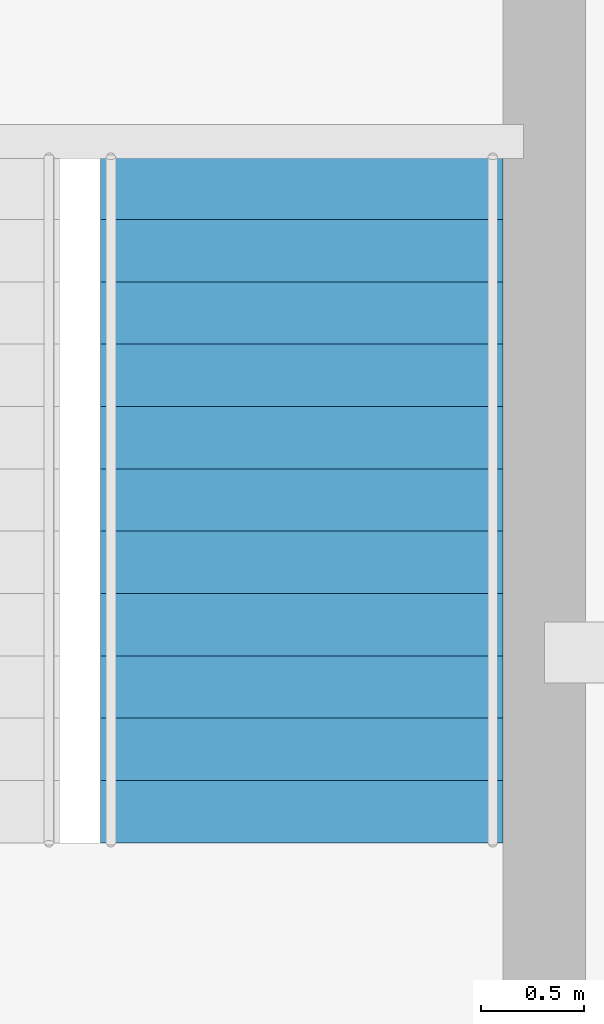
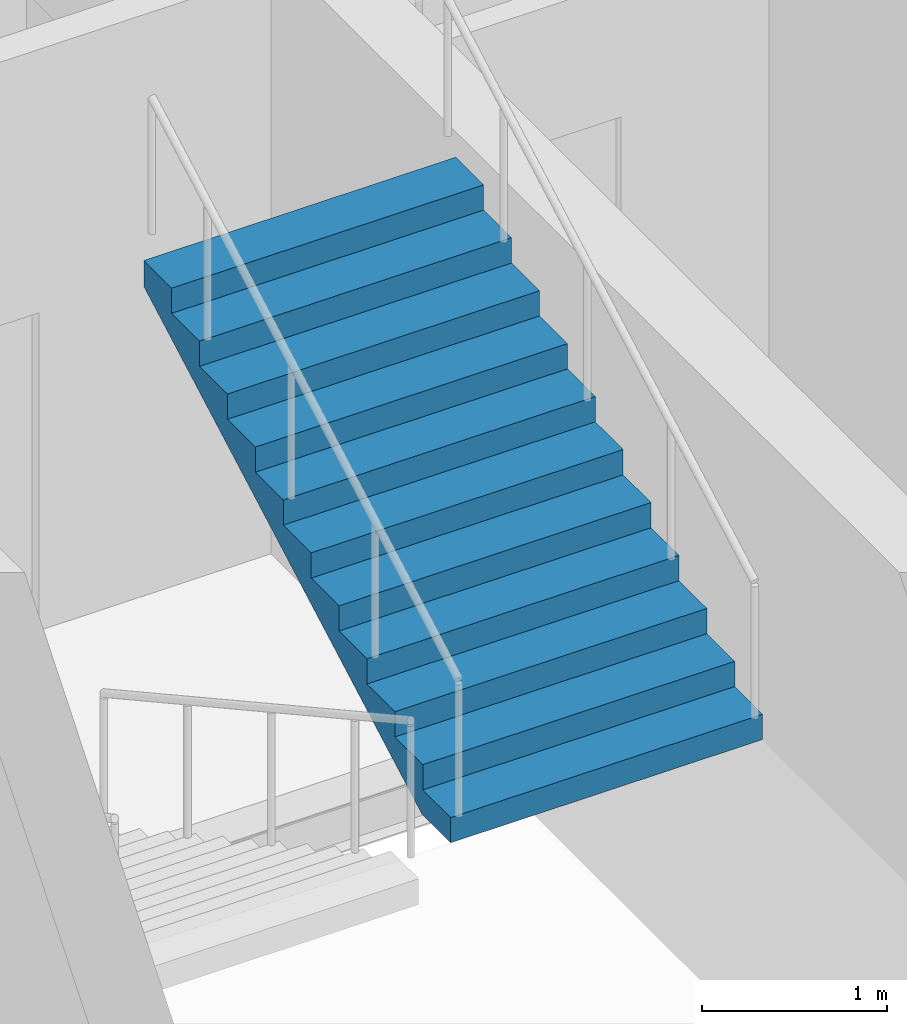
# One storey, part 12 of 14: 1 stair flight, 1 element without a shape of its own.
"""IFC4 building model written with IfcOpenShell, lengths in metres."""

from ifc_helpers import new_model, si_unit, direction, frame, origin, place, context, subcontext, project, spatial, polyline, outline, extrude, material, type_object, element, aggregate, save


model = new_model("IFC4")

# Units and contexts
model_context = context("Model", 3, precision=1e-05, world=origin(), true_north=direction((0.0, 1.0)))
body_context = subcontext(model_context, "Body", "Model", "MODEL_VIEW")
ifc_project = project(units=[si_unit("LENGTHUNIT", "METRE"), si_unit("AREAUNIT", "SQUARE_METRE"), si_unit("VOLUMEUNIT", "CUBIC_METRE"), si_unit("PLANEANGLEUNIT", "RADIAN"), si_unit("MASSUNIT", "GRAM", prefix="KILO")], contexts=[model_context])

# Site, building, storey
site_placement = place(None, origin())
site = spatial("IfcSite", under=ifc_project, at=site_placement, CompositionType="ELEMENT")
building_placement = place(site_placement, origin())
building = spatial("IfcBuilding", under=site, at=building_placement, Name="Corais Broadcast Tower", CompositionType="ELEMENT")
storey_placement = place(building_placement, frame((0.0, 0.0, 254.60009765625)))
storey = spatial("IfcBuildingStorey", under=building, at=storey_placement, Name="L59", CompositionType="ELEMENT", Elevation=254.60009765625)

# Stair, stair flight
ifc_material_1 = material(Name="Concrete C30/37", Category="concrete")
stair_type = type_object("IfcStairType", Name="Half-turn stair 4000", PredefinedType="HALF_TURN_STAIR", material=ifc_material_1)
stair_placement = place(storey_placement, origin())
stair = element("IfcStair", 1, at=stair_placement, inside=storey, type_object=stair_type, Name="Stair B L59", PredefinedType="HALF_TURN_STAIR")
ifc_material_2 = material(Name="Concrete C30/37", Category="concrete")
stair_flight_type = type_object("IfcStairFlightType", Name="Stair flight 4000", PredefinedType="STRAIGHT", material=ifc_material_2)
stair_flight_placement = place(storey_placement, frame((39.324951171875, 26.077880859375, 2.0), z_axis=(0.0, 0.0, 1.0), x_axis=(0.0, 1.0, 0.0)))
stair_flight = element("IfcStairFlight", 2, at=stair_flight_placement, type_object=stair_flight_type, Name="STB flight 2", NumberOfRisers=12, NumberOfTreads=11, PredefinedType="STRAIGHT", RiserHeight=0.166666667, TreadLength=0.302, context=body_context, shape_type="SweptSolid", body=[
    extrude(outline(polyline([(0.0, 0.0), (0.0, 0.166748046875), (0.302001953125, 0.166748046875), (0.302001953125, 0.333251953125), (0.60400390625, 0.333251953125), (0.60400390625, 0.5), (0.906005859375, 0.5), (0.906005859375, 0.666748046875), (1.2080078125, 0.666748046875), (1.2080078125, 0.833251953125), (1.510009765625, 0.833251953125), (1.510009765625, 1.0), (1.81201171875, 1.0), (1.81201171875, 1.166748046875), (2.114013671875, 1.166748046875), (2.114013671875, 1.333251953125), (2.416015625, 1.333251953125), (2.416015625, 1.5), (2.718017578125, 1.5), (2.718017578125, 1.666748046875), (3.02001953125, 1.666748046875), (3.02001953125, 1.833251953125), (3.322021484375, 1.833251953125), (3.322021484375, 2.0), (3.322021484375, 1.662109375), (0.310302734375, 0.0), (0.0, 0.0)])), frame((0.0, 0.97509765625, 0.0), z_axis=(0.0, -1.0, 0.0), x_axis=(1.0, 0.0, 0.0)), (0.0, 0.0, 1.0), 1.949951171875),
])
aggregate(stair, [stair_flight])

save(model, "model.ifc")
